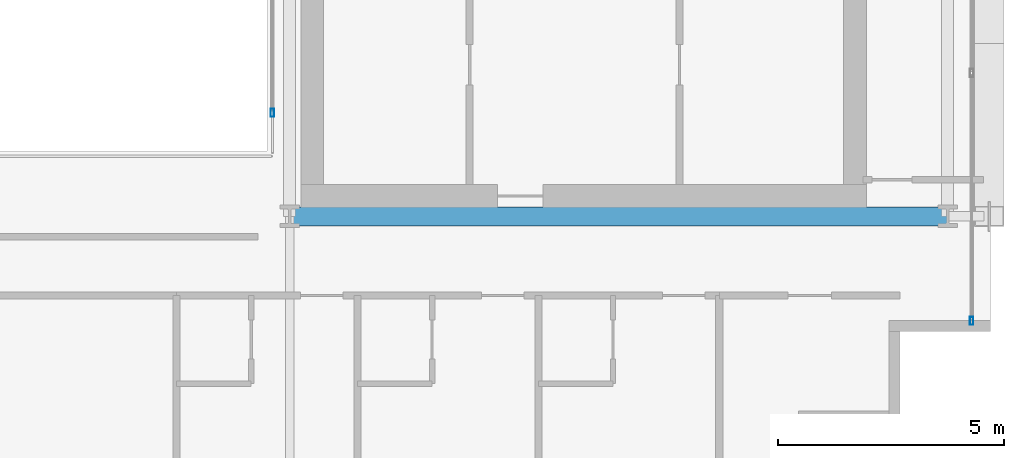
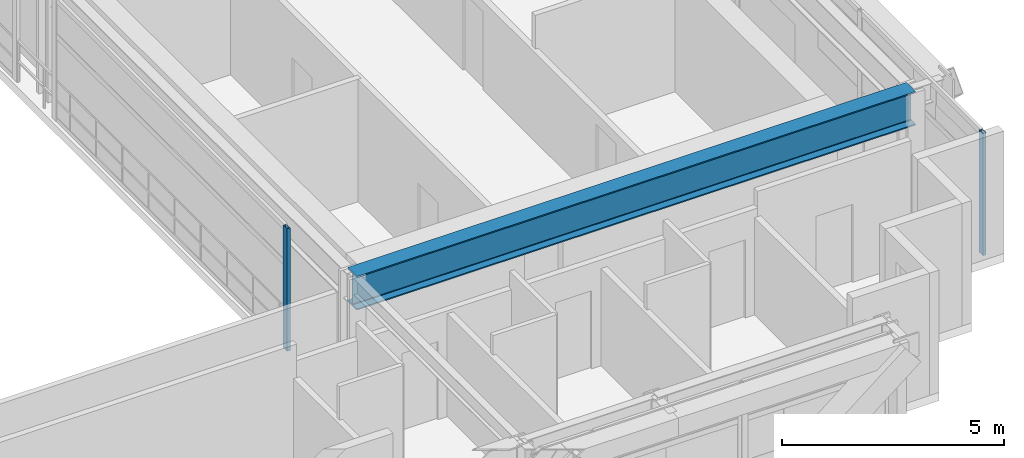
# One storey, part 13 of 38: 2 members, 1 beam, 2 elements without a shape of their own.
"""IFC4 building model written with IfcOpenShell, lengths in metres."""

from ifc_helpers import new_model, si_unit, direction, frame, origin, origin_2d, place, context, subcontext, project, spatial, hollow_rectangle, i_section, extrude, source, transform, mapped, material, layer, layer_set, material_profile, profile_set, type_object, element, aggregate, save


model = new_model("IFC4")

# Units and contexts
model_context = context("Model", 3, precision=1e-05, world=origin(), true_north=direction((0.0, 1.0)))
body_context = subcontext(model_context, "Body", "Model", "MODEL_VIEW")
ifc_project = project(units=[si_unit("LENGTHUNIT", "METRE"), si_unit("AREAUNIT", "SQUARE_METRE"), si_unit("VOLUMEUNIT", "CUBIC_METRE"), si_unit("PLANEANGLEUNIT", "RADIAN"), si_unit("MASSUNIT", "GRAM", prefix="KILO")], contexts=[model_context])

# Site, building, storey
site_placement = place(None, origin())
site = spatial("IfcSite", under=ifc_project, at=site_placement, CompositionType="ELEMENT")
building_placement = place(site_placement, origin())
building = spatial("IfcBuilding", under=site, at=building_placement, Name="Ocotamira Hotel", CompositionType="ELEMENT")
storey_placement = place(building_placement, frame((0.0, 0.0, 170.39990234375)))
storey = spatial("IfcBuildingStorey", under=building, at=storey_placement, Name="L42", CompositionType="ELEMENT", Elevation=170.39990234375)

# Beam
ifc_material_1 = material(Name="Steel ASTM A992 Grade 50", Category="steel")
ifc_material_profile_1 = material_profile(ifc_material_1, i_section(OverallWidth=0.41796875, OverallDepth=0.927001953125, WebThickness=0.019287109375, FlangeThickness=0.031982421875, FilletRadius=0.02392578125, at=origin_2d()), Name="W36X231")
ifc_profile_set_1 = profile_set([ifc_material_profile_1], Name="Steel ASTM A992 Grade 50")
beam_type = type_object("IfcBeamType", Name="BM-GIRD-W36X231", PredefinedType="BEAM", material=ifc_profile_set_1)
shared_shape_1 = source(origin(), body_context, "Body", "SweptSolid", [
    extrude(i_section(OverallWidth=0.41796875, OverallDepth=0.927001953125, WebThickness=0.019287109375, FlangeThickness=0.031982421875, FilletRadius=0.02392578125, at=origin_2d()), origin(), (0.0, 0.0, 1.0), 14.550048828125),
])
beam_placement = place(storey_placement, frame((40.5, 14.550048828125, 2.906494140625), z_axis=(1.0, 0.0, 0.0), x_axis=(0.0, 1.0, 0.0)))
element("IfcBeam", 1, at=beam_placement, inside=storey, type_object=beam_type, Name="L42 Girder Y14.55 X40.5-55.05", PredefinedType="BEAM", context=body_context, shape_type="MappedRepresentation", body=[
    mapped(shared_shape_1, transform((0.0, 0.0, 0.0), scale=1.0)),
])

# Curtain wall, member
ifc_material_2 = material(Name="Anodised pale-metal aluminium and solar glass", Category="aluminium")
ifc_layer_1 = layer(ifc_material_2, 0.199951171875)
ifc_layer_set_1 = layer_set([ifc_layer_1], Name="Anodised pale-metal aluminium and solar glass")
curtain_wall_type_1 = type_object("IfcCurtainWallType", Name="CW-SYS4-Z3", PredefinedType="NOTDEFINED", material=ifc_layer_set_1)
curtain_wall_1_placement = place(storey_placement, origin())
curtain_wall_1 = element("IfcCurtainWall", 2, at=curtain_wall_1_placement, inside=storey, type_object=curtain_wall_type_1, Name="L42 Curtain Wall CW-4 CW-L42-E", PredefinedType="NOTDEFINED")
ifc_material_3 = material(Name="Anodised pale-metal aluminium 6063-T6", Category="aluminium")
ifc_material_profile_2 = material_profile(ifc_material_3, hollow_rectangle(XDim=0.080078125, YDim=0.179931640625, WallThickness=0.006103515625, at=origin_2d()), Name="HSS180X80X6")
ifc_profile_set_2 = profile_set([ifc_material_profile_2], Name="Anodised pale-metal aluminium 6063-T6")
member_type = type_object("IfcMemberType", Name="CWM-180X75", PredefinedType="MULLION", material=ifc_profile_set_2)
shared_shape_2 = source(origin(), body_context, "Body", "SweptSolid", [
    extrude(hollow_rectangle(XDim=0.080078125, YDim=0.179931640625, WallThickness=0.006103515625, at=origin_2d()), origin(), (0.0, 0.0, 1.0), 3.3701171875),
])
member_1_placement = place(storey_placement, frame((55.580078125, 12.239990234375, 0.0), z_axis=(0.0, 0.0, 1.0), x_axis=(-1.0, 0.0, 0.0)))
member_1 = element("IfcMember", 3, at=member_1_placement, type_object=member_type, Name="CW-4 mullion 1", PredefinedType="MULLION", context=body_context, shape_type="MappedRepresentation", body=[
    mapped(shared_shape_2, transform((0.0, 0.0, 0.0), scale=1.0)),
])
aggregate(curtain_wall_1, [member_1])

ifc_layer_2 = layer(ifc_material_2, 0.159912109375)
ifc_layer_set_2 = layer_set([ifc_layer_2], Name="Anodised pale-metal aluminium and solar glass")
curtain_wall_type_2 = type_object("IfcCurtainWallType", Name="CW-SYS6-ATR", PredefinedType="NOTDEFINED", material=ifc_layer_set_2)
curtain_wall_2_placement = place(storey_placement, origin())
curtain_wall_2 = element("IfcCurtainWall", 4, at=curtain_wall_2_placement, inside=storey, type_object=curtain_wall_type_2, Name="L42 Curtain Wall CW-6 CW-L42-ATRE1", PredefinedType="NOTDEFINED")
member_2_placement = place(storey_placement, frame((40.1201171875, 16.840087890625, 0.0), z_axis=(0.0, 0.0, 1.0), x_axis=(-1.0, 0.0, 0.0)))
member_2 = element("IfcMember", 5, at=member_2_placement, type_object=member_type, Name="CW-6 mullion 1", PredefinedType="MULLION", context=body_context, shape_type="MappedRepresentation", body=[
    mapped(shared_shape_2, transform((0.0, 0.0, 0.0), scale=1.0)),
])
aggregate(curtain_wall_2, [member_2])

save(model, "model.ifc")
